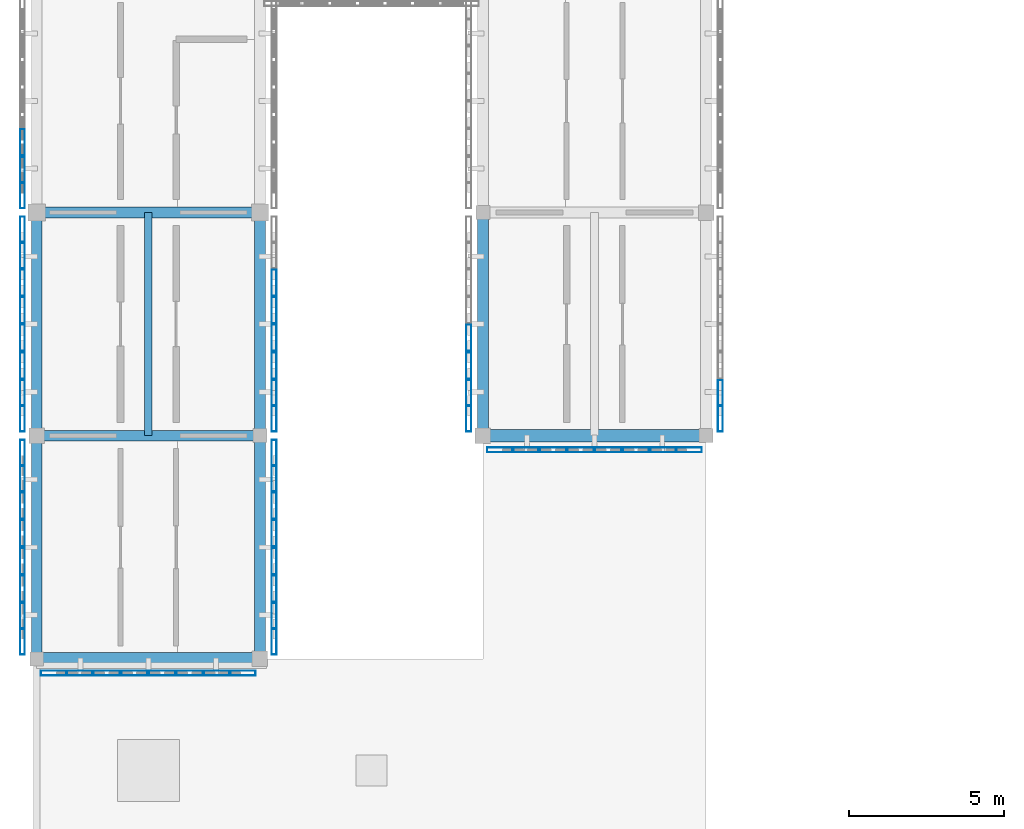
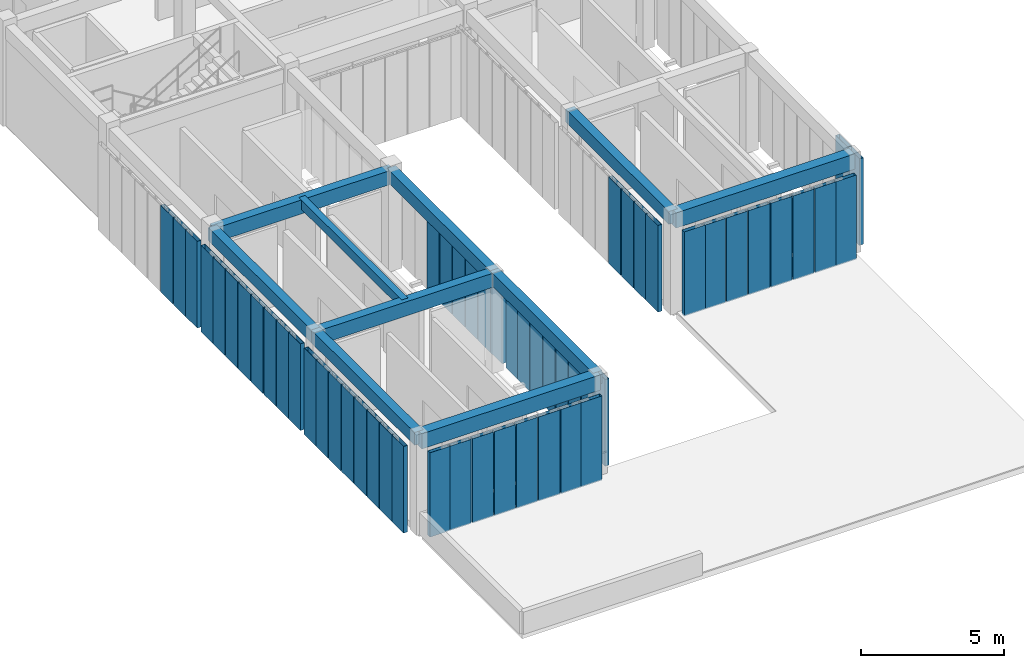
# One storey, part 3 of 91: 55 members, 10 beams, 9 elements without a shape of their own.
"""IFC4 building model written with IfcOpenShell, lengths in metres."""

from ifc_helpers import new_model, si_unit, direction, frame, origin, origin_2d, place, context, subcontext, project, spatial, rectangle, hollow_rectangle, extrude, material, material_profile, profile_set, type_object, element, aggregate, save


model = new_model("IFC4")

# Units and contexts
model_context = context("Model", 3, precision=1e-05, world=origin(), true_north=direction((0.0, 1.0)))
body_context = subcontext(model_context, "Body", "Model", "MODEL_VIEW")
ifc_project = project(units=[si_unit("LENGTHUNIT", "METRE"), si_unit("AREAUNIT", "SQUARE_METRE"), si_unit("VOLUMEUNIT", "CUBIC_METRE"), si_unit("PLANEANGLEUNIT", "RADIAN"), si_unit("MASSUNIT", "GRAM", prefix="KILO")], contexts=[model_context])

# Site, building, storey
site_placement = place(None, origin())
site = spatial("IfcSite", under=ifc_project, at=site_placement, CompositionType="ELEMENT")
building_placement = place(site_placement, origin())
building = spatial("IfcBuilding", under=site, at=building_placement, Name="Aldebral Square Health Centre", CompositionType="ELEMENT")
storey_placement = place(building_placement, frame((0.0, 0.0, 9.0)))
storey = spatial("IfcBuildingStorey", under=building, at=storey_placement, Name="L02", CompositionType="ELEMENT", Elevation=9.0)

# Beams
ifc_material_1 = material(Name="Concrete C40/50", Category="concrete")
ifc_material_profile_1 = material_profile(ifc_material_1, rectangle(XDim=0.39990234375, YDim=0.64990234375, at=origin_2d()), Name="RC 400x650")
ifc_profile_set_1 = profile_set([ifc_material_profile_1], Name="Concrete C40/50")
beam_type_1 = type_object("IfcBeamType", Name="BM-B1", PredefinedType="BEAM", material=ifc_profile_set_1)
beam_1_placement = place(storey_placement, frame((0.0, 7.199951171875, 3.9150390625), z_axis=(1.0, 0.0, 0.0), x_axis=(0.0, 1.0, 0.0)))
element("IfcBeam", 1, at=beam_1_placement, inside=storey, type_object=beam_type_1, Name="L02 X-beam 1-2/G2", PredefinedType="BEAM", context=body_context, shape_type="SweptSolid", body=[
    extrude(rectangle(XDim=0.39990234375, YDim=0.64990234375, at=origin_2d()), origin(), (0.0, 0.0, 1.0), 7.199951171875),
])
beam_2_placement = place(storey_placement, frame((14.39990234375, 14.39990234375, 3.9150390625), z_axis=(1.0, 0.0, 0.0), x_axis=(0.0, 1.0, 0.0)))
element("IfcBeam", 2, at=beam_2_placement, inside=storey, type_object=beam_type_1, Name="L02 X-beam 3-4/G3", PredefinedType="BEAM", context=body_context, shape_type="SweptSolid", body=[
    extrude(rectangle(XDim=0.39990234375, YDim=0.64990234375, at=origin_2d()), origin(), (0.0, 0.0, 1.0), 7.2001953125),
])
ifc_material_profile_2 = material_profile(ifc_material_1, rectangle(XDim=0.35009765625, YDim=0.60009765625, at=origin_2d()), Name="RC 350x600")
ifc_profile_set_2 = profile_set([ifc_material_profile_2], Name="Concrete C40/50")
beam_type_2 = type_object("IfcBeamType", Name="BM-B2", PredefinedType="BEAM", material=ifc_profile_set_2)
for number, where, z_axis, x_axis, name in (
    (3, (0.0, 14.39990234375, 3.93994140625), (1.0, 0.0, 0.0), (0.0, 1.0, 0.0), "L02 X-beam 1-2/G3"),
    (4, (0.0, 21.60009765625, 3.93994140625), (1.0, 0.0, 0.0), (0.0, 1.0, 0.0), "L02 X-beam 1-2/G4"),
):
    element("IfcBeam", number, at=place(storey_placement, frame(where, z_axis=z_axis, x_axis=x_axis)), inside=storey, type_object=beam_type_2, Name=name, PredefinedType="BEAM", context=body_context, shape_type="SweptSolid", body=[
        extrude(rectangle(XDim=0.35009765625, YDim=0.60009765625, at=origin_2d()), origin(), (0.0, 0.0, 1.0), 7.199951171875),
    ])
ifc_material_profile_3 = material_profile(ifc_material_1, rectangle(XDim=0.35009765625, YDim=0.550048828125, at=origin_2d()), Name="RC 350x550")
ifc_profile_set_3 = profile_set([ifc_material_profile_3], Name="Concrete C40/50")
beam_type_3 = type_object("IfcBeamType", Name="BM-B3", PredefinedType="BEAM", material=ifc_profile_set_3)
beam_3_placement = place(storey_placement, frame((0.0, 7.199951171875, 3.965087890625), z_axis=(0.0, 1.0, 0.0), x_axis=(-1.0, 0.0, 0.0)))
element("IfcBeam", 5, at=beam_3_placement, inside=storey, type_object=beam_type_3, Name="L02 Y-beam G1/2-3", PredefinedType="BEAM", context=body_context, shape_type="SweptSolid", body=[
    extrude(rectangle(XDim=0.35009765625, YDim=0.550048828125, at=origin_2d()), origin(), (0.0, 0.0, 1.0), 7.199951171875),
])
beam_4_placement = place(storey_placement, frame((0.0, 14.39990234375, 3.965087890625), z_axis=(0.0, 1.0, 0.0), x_axis=(-1.0, 0.0, 0.0)))
element("IfcBeam", 6, at=beam_4_placement, inside=storey, type_object=beam_type_3, Name="L02 Y-beam G1/3-4", PredefinedType="BEAM", context=body_context, shape_type="SweptSolid", body=[
    extrude(rectangle(XDim=0.35009765625, YDim=0.550048828125, at=origin_2d()), origin(), (0.0, 0.0, 1.0), 7.2001953125),
])
beam_5_placement = place(storey_placement, frame((7.199951171875, 7.199951171875, 3.965087890625), z_axis=(0.0, 1.0, 0.0), x_axis=(-1.0, 0.0, 0.0)))
element("IfcBeam", 7, at=beam_5_placement, inside=storey, type_object=beam_type_3, Name="L02 Y-beam G2/2-3", PredefinedType="BEAM", context=body_context, shape_type="SweptSolid", body=[
    extrude(rectangle(XDim=0.35009765625, YDim=0.550048828125, at=origin_2d()), origin(), (0.0, 0.0, 1.0), 7.199951171875),
])
for number, where, z_axis, x_axis, name in (
    (8, (7.199951171875, 14.39990234375, 3.965087890625), (0.0, 1.0, 0.0), (-1.0, 0.0, 0.0), "L02 Y-beam G2/3-4"),
    (9, (14.39990234375, 14.39990234375, 3.965087890625), (0.0, 1.0, 0.0), (-1.0, 0.0, 0.0), "L02 Y-beam G3/3-4"),
):
    element("IfcBeam", number, at=place(storey_placement, frame(where, z_axis=z_axis, x_axis=x_axis)), inside=storey, type_object=beam_type_3, Name=name, PredefinedType="BEAM", context=body_context, shape_type="SweptSolid", body=[
        extrude(rectangle(XDim=0.35009765625, YDim=0.550048828125, at=origin_2d()), origin(), (0.0, 0.0, 1.0), 7.2001953125),
    ])
ifc_material_profile_4 = material_profile(ifc_material_1, rectangle(XDim=0.25, YDim=0.39990234375, at=origin_2d()), Name="RC 250x400")
ifc_profile_set_4 = profile_set([ifc_material_profile_4], Name="Concrete C40/50")
beam_type_4 = type_object("IfcBeamType", Name="BM-B6", PredefinedType="JOIST", material=ifc_profile_set_4)
beam_6_placement = place(storey_placement, frame((3.60009765625, 14.39990234375, 4.0400390625), z_axis=(0.0, 1.0, 0.0), x_axis=(-1.0, 0.0, 0.0)))
element("IfcBeam", 10, at=beam_6_placement, inside=storey, type_object=beam_type_4, Name="L02 secondary rib 1.3", PredefinedType="JOIST", context=body_context, shape_type="SweptSolid", body=[
    extrude(rectangle(XDim=0.25, YDim=0.39990234375, at=origin_2d()), origin(), (0.0, 0.0, 1.0), 7.2001953125),
])

# Curtain wall, members
ifc_material_2 = material(Name="Aluminium and low-E solar glass", Category="aluminium")
curtain_wall_type = type_object("IfcCurtainWallType", Name="CW-FIN-SYS", PredefinedType="USERDEFINED", material=ifc_material_2)
curtain_wall_1_placement = place(storey_placement, origin())
curtain_wall_1 = element("IfcCurtainWall", 11, at=curtain_wall_1_placement, inside=storey, type_object=curtain_wall_type, Name="L02 V6 finned curtain wall L02-V6-00-01-S", ObjectType="SOLAR_CURTAIN_WALL", PredefinedType="USERDEFINED")
ifc_material_3 = material(Name="Sienna-terracotta clad aluminium fin", Category="masonry")
ifc_material_profile_5 = material_profile(ifc_material_3, hollow_rectangle(XDim=0.159912109375, YDim=0.85009765625, WallThickness=0.006103515625, at=origin_2d()), Name="FIN 160x850x6")
ifc_profile_set_5 = profile_set([ifc_material_profile_5], Name="Sienna-terracotta clad aluminium fin")
member_type = type_object("IfcMemberType", Name="CWM-FIN", PredefinedType="MULLION", material=ifc_profile_set_5)
member_1_placement = place(storey_placement, frame((0.56005859375, 6.739990234375, 0.0), z_axis=(0.0, 0.0, 1.0), x_axis=(0.0, 1.0, 0.0)))
member_1 = element("IfcMember", 12, at=member_1_placement, type_object=member_type, Name="CW1 mullion 1", PredefinedType="MULLION", context=body_context, shape_type="SweptSolid", body=[
    extrude(hollow_rectangle(XDim=0.159912109375, YDim=0.85009765625, WallThickness=0.006103515625, at=origin_2d()), origin(), (0.0, 0.0, 1.0), 3.590087890625),
])
member_2_placement = place(storey_placement, frame((1.371337890625, 6.739990234375, 0.0), z_axis=(0.0, 0.0, 1.0), x_axis=(0.0, 1.0, 0.0)))
member_2 = element("IfcMember", 13, at=member_2_placement, type_object=member_type, Name="CW1 mullion 2", PredefinedType="MULLION", context=body_context, shape_type="SweptSolid", body=[
    extrude(hollow_rectangle(XDim=0.159912109375, YDim=0.85009765625, WallThickness=0.006103515625, at=origin_2d()), origin(), (0.0, 0.0, 1.0), 3.590087890625),
])
member_3_placement = place(storey_placement, frame((2.262939453125, 6.739990234375, 0.0), z_axis=(0.0, 0.0, 1.0), x_axis=(0.0, 1.0, 0.0)))
member_3 = element("IfcMember", 14, at=member_3_placement, type_object=member_type, Name="CW1 mullion 3", PredefinedType="MULLION", context=body_context, shape_type="SweptSolid", body=[
    extrude(hollow_rectangle(XDim=0.159912109375, YDim=0.85009765625, WallThickness=0.006103515625, at=origin_2d()), origin(), (0.0, 0.0, 1.0), 3.590087890625),
])
member_4_placement = place(storey_placement, frame((3.154296875, 6.739990234375, 0.0), z_axis=(0.0, 0.0, 1.0), x_axis=(0.0, 1.0, 0.0)))
member_4 = element("IfcMember", 15, at=member_4_placement, type_object=member_type, Name="CW1 mullion 4", PredefinedType="MULLION", context=body_context, shape_type="SweptSolid", body=[
    extrude(hollow_rectangle(XDim=0.159912109375, YDim=0.85009765625, WallThickness=0.006103515625, at=origin_2d()), origin(), (0.0, 0.0, 1.0), 3.590087890625),
])
member_5_placement = place(storey_placement, frame((4.045654296875, 6.739990234375, 0.0), z_axis=(0.0, 0.0, 1.0), x_axis=(0.0, 1.0, 0.0)))
member_5 = element("IfcMember", 16, at=member_5_placement, type_object=member_type, Name="CW1 mullion 5", PredefinedType="MULLION", context=body_context, shape_type="SweptSolid", body=[
    extrude(hollow_rectangle(XDim=0.159912109375, YDim=0.85009765625, WallThickness=0.006103515625, at=origin_2d()), origin(), (0.0, 0.0, 1.0), 3.590087890625),
])
member_6_placement = place(storey_placement, frame((4.937255859375, 6.739990234375, 0.0), z_axis=(0.0, 0.0, 1.0), x_axis=(0.0, 1.0, 0.0)))
member_6 = element("IfcMember", 17, at=member_6_placement, type_object=member_type, Name="CW1 mullion 6", PredefinedType="MULLION", context=body_context, shape_type="SweptSolid", body=[
    extrude(hollow_rectangle(XDim=0.159912109375, YDim=0.85009765625, WallThickness=0.006103515625, at=origin_2d()), origin(), (0.0, 0.0, 1.0), 3.590087890625),
])
member_7_placement = place(storey_placement, frame((5.82861328125, 6.739990234375, 0.0), z_axis=(0.0, 0.0, 1.0), x_axis=(0.0, 1.0, 0.0)))
member_7 = element("IfcMember", 18, at=member_7_placement, type_object=member_type, Name="CW1 mullion 7", PredefinedType="MULLION", context=body_context, shape_type="SweptSolid", body=[
    extrude(hollow_rectangle(XDim=0.159912109375, YDim=0.85009765625, WallThickness=0.006103515625, at=origin_2d()), origin(), (0.0, 0.0, 1.0), 3.590087890625),
])
member_8_placement = place(storey_placement, frame((6.639892578125, 6.739990234375, 0.0), z_axis=(0.0, 0.0, 1.0), x_axis=(0.0, 1.0, 0.0)))
member_8 = element("IfcMember", 19, at=member_8_placement, type_object=member_type, Name="CW1 mullion 8", PredefinedType="MULLION", context=body_context, shape_type="SweptSolid", body=[
    extrude(hollow_rectangle(XDim=0.159912109375, YDim=0.85009765625, WallThickness=0.006103515625, at=origin_2d()), origin(), (0.0, 0.0, 1.0), 3.590087890625),
])
aggregate(curtain_wall_1, [member_1, member_2, member_3, member_4, member_5, member_6, member_7, member_8])

curtain_wall_2_placement = place(storey_placement, origin())
curtain_wall_2 = element("IfcCurtainWall", 20, at=curtain_wall_2_placement, inside=storey, type_object=curtain_wall_type, Name="L02 V6 finned curtain wall L02-V6-00-01-W", ObjectType="SOLAR_CURTAIN_WALL", PredefinedType="USERDEFINED")
member_9_placement = place(storey_placement, frame((-0.4599609375, 13.840087890625, 0.0), z_axis=(0.0, 0.0, 1.0), x_axis=(1.0, 0.0, 0.0)))
member_9 = element("IfcMember", 21, at=member_9_placement, type_object=member_type, Name="CW1 mullion 1", PredefinedType="MULLION", context=body_context, shape_type="SweptSolid", body=[
    extrude(hollow_rectangle(XDim=0.159912109375, YDim=0.85009765625, WallThickness=0.006103515625, at=origin_2d()), origin(), (0.0, 0.0, 1.0), 3.68994140625),
])
member_10_placement = place(storey_placement, frame((-0.4599609375, 13.028564453125, 0.0), z_axis=(0.0, 0.0, 1.0), x_axis=(1.0, 0.0, 0.0)))
member_10 = element("IfcMember", 22, at=member_10_placement, type_object=member_type, Name="CW1 mullion 2", PredefinedType="MULLION", context=body_context, shape_type="SweptSolid", body=[
    extrude(hollow_rectangle(XDim=0.159912109375, YDim=0.85009765625, WallThickness=0.006103515625, at=origin_2d()), origin(), (0.0, 0.0, 1.0), 3.68994140625),
])
member_11_placement = place(storey_placement, frame((-0.4599609375, 12.13720703125, 0.0), z_axis=(0.0, 0.0, 1.0), x_axis=(1.0, 0.0, 0.0)))
member_11 = element("IfcMember", 23, at=member_11_placement, type_object=member_type, Name="CW1 mullion 3", PredefinedType="MULLION", context=body_context, shape_type="SweptSolid", body=[
    extrude(hollow_rectangle(XDim=0.159912109375, YDim=0.85009765625, WallThickness=0.006103515625, at=origin_2d()), origin(), (0.0, 0.0, 1.0), 3.68994140625),
])
member_12_placement = place(storey_placement, frame((-0.4599609375, 11.24560546875, 0.0), z_axis=(0.0, 0.0, 1.0), x_axis=(1.0, 0.0, 0.0)))
member_12 = element("IfcMember", 24, at=member_12_placement, type_object=member_type, Name="CW1 mullion 4", PredefinedType="MULLION", context=body_context, shape_type="SweptSolid", body=[
    extrude(hollow_rectangle(XDim=0.159912109375, YDim=0.85009765625, WallThickness=0.006103515625, at=origin_2d()), origin(), (0.0, 0.0, 1.0), 3.68994140625),
])
member_13_placement = place(storey_placement, frame((-0.4599609375, 10.354248046875, 0.0), z_axis=(0.0, 0.0, 1.0), x_axis=(1.0, 0.0, 0.0)))
member_13 = element("IfcMember", 25, at=member_13_placement, type_object=member_type, Name="CW1 mullion 5", PredefinedType="MULLION", context=body_context, shape_type="SweptSolid", body=[
    extrude(hollow_rectangle(XDim=0.159912109375, YDim=0.85009765625, WallThickness=0.006103515625, at=origin_2d()), origin(), (0.0, 0.0, 1.0), 3.68994140625),
])
member_14_placement = place(storey_placement, frame((-0.4599609375, 9.462890625, 0.0), z_axis=(0.0, 0.0, 1.0), x_axis=(1.0, 0.0, 0.0)))
member_14 = element("IfcMember", 26, at=member_14_placement, type_object=member_type, Name="CW1 mullion 6", PredefinedType="MULLION", context=body_context, shape_type="SweptSolid", body=[
    extrude(hollow_rectangle(XDim=0.159912109375, YDim=0.85009765625, WallThickness=0.006103515625, at=origin_2d()), origin(), (0.0, 0.0, 1.0), 3.68994140625),
])
member_15_placement = place(storey_placement, frame((-0.4599609375, 8.571533203125, 0.0), z_axis=(0.0, 0.0, 1.0), x_axis=(1.0, 0.0, 0.0)))
member_15 = element("IfcMember", 27, at=member_15_placement, type_object=member_type, Name="CW1 mullion 7", PredefinedType="MULLION", context=body_context, shape_type="SweptSolid", body=[
    extrude(hollow_rectangle(XDim=0.159912109375, YDim=0.85009765625, WallThickness=0.006103515625, at=origin_2d()), origin(), (0.0, 0.0, 1.0), 3.68994140625),
])
member_16_placement = place(storey_placement, frame((-0.4599609375, 7.760009765625, 0.0), z_axis=(0.0, 0.0, 1.0), x_axis=(1.0, 0.0, 0.0)))
member_16 = element("IfcMember", 28, at=member_16_placement, type_object=member_type, Name="CW1 mullion 8", PredefinedType="MULLION", context=body_context, shape_type="SweptSolid", body=[
    extrude(hollow_rectangle(XDim=0.159912109375, YDim=0.85009765625, WallThickness=0.006103515625, at=origin_2d()), origin(), (0.0, 0.0, 1.0), 3.68994140625),
])
aggregate(curtain_wall_2, [member_9, member_10, member_11, member_12, member_13, member_14, member_15, member_16])

curtain_wall_3_placement = place(storey_placement, origin())
curtain_wall_3 = element("IfcCurtainWall", 29, at=curtain_wall_3_placement, inside=storey, type_object=curtain_wall_type, Name="L02 V6 finned curtain wall L02-V6-00-01-E", ObjectType="SOLAR_CURTAIN_WALL", PredefinedType="USERDEFINED")
member_17_placement = place(storey_placement, frame((7.659912109375, 7.760009765625, 0.0), z_axis=(0.0, 0.0, 1.0), x_axis=(-1.0, 0.0, 0.0)))
member_17 = element("IfcMember", 30, at=member_17_placement, type_object=member_type, Name="CW1 mullion 1", PredefinedType="MULLION", context=body_context, shape_type="SweptSolid", body=[
    extrude(hollow_rectangle(XDim=0.159912109375, YDim=0.85009765625, WallThickness=0.006103515625, at=origin_2d()), origin(), (0.0, 0.0, 1.0), 3.68994140625),
])
member_18_placement = place(storey_placement, frame((7.659912109375, 8.571533203125, 0.0), z_axis=(0.0, 0.0, 1.0), x_axis=(-1.0, 0.0, 0.0)))
member_18 = element("IfcMember", 31, at=member_18_placement, type_object=member_type, Name="CW1 mullion 2", PredefinedType="MULLION", context=body_context, shape_type="SweptSolid", body=[
    extrude(hollow_rectangle(XDim=0.159912109375, YDim=0.85009765625, WallThickness=0.006103515625, at=origin_2d()), origin(), (0.0, 0.0, 1.0), 3.68994140625),
])
member_19_placement = place(storey_placement, frame((7.659912109375, 9.462890625, 0.0), z_axis=(0.0, 0.0, 1.0), x_axis=(-1.0, 0.0, 0.0)))
member_19 = element("IfcMember", 32, at=member_19_placement, type_object=member_type, Name="CW1 mullion 3", PredefinedType="MULLION", context=body_context, shape_type="SweptSolid", body=[
    extrude(hollow_rectangle(XDim=0.159912109375, YDim=0.85009765625, WallThickness=0.006103515625, at=origin_2d()), origin(), (0.0, 0.0, 1.0), 3.68994140625),
])
member_20_placement = place(storey_placement, frame((7.659912109375, 10.354248046875, 0.0), z_axis=(0.0, 0.0, 1.0), x_axis=(-1.0, 0.0, 0.0)))
member_20 = element("IfcMember", 33, at=member_20_placement, type_object=member_type, Name="CW1 mullion 4", PredefinedType="MULLION", context=body_context, shape_type="SweptSolid", body=[
    extrude(hollow_rectangle(XDim=0.159912109375, YDim=0.85009765625, WallThickness=0.006103515625, at=origin_2d()), origin(), (0.0, 0.0, 1.0), 3.68994140625),
])
member_21_placement = place(storey_placement, frame((7.659912109375, 11.24560546875, 0.0), z_axis=(0.0, 0.0, 1.0), x_axis=(-1.0, 0.0, 0.0)))
member_21 = element("IfcMember", 34, at=member_21_placement, type_object=member_type, Name="CW1 mullion 5", PredefinedType="MULLION", context=body_context, shape_type="SweptSolid", body=[
    extrude(hollow_rectangle(XDim=0.159912109375, YDim=0.85009765625, WallThickness=0.006103515625, at=origin_2d()), origin(), (0.0, 0.0, 1.0), 3.68994140625),
])
member_22_placement = place(storey_placement, frame((7.659912109375, 12.13720703125, 0.0), z_axis=(0.0, 0.0, 1.0), x_axis=(-1.0, 0.0, 0.0)))
member_22 = element("IfcMember", 35, at=member_22_placement, type_object=member_type, Name="CW1 mullion 6", PredefinedType="MULLION", context=body_context, shape_type="SweptSolid", body=[
    extrude(hollow_rectangle(XDim=0.159912109375, YDim=0.85009765625, WallThickness=0.006103515625, at=origin_2d()), origin(), (0.0, 0.0, 1.0), 3.68994140625),
])
member_23_placement = place(storey_placement, frame((7.659912109375, 13.028564453125, 0.0), z_axis=(0.0, 0.0, 1.0), x_axis=(-1.0, 0.0, 0.0)))
member_23 = element("IfcMember", 36, at=member_23_placement, type_object=member_type, Name="CW1 mullion 7", PredefinedType="MULLION", context=body_context, shape_type="SweptSolid", body=[
    extrude(hollow_rectangle(XDim=0.159912109375, YDim=0.85009765625, WallThickness=0.006103515625, at=origin_2d()), origin(), (0.0, 0.0, 1.0), 3.68994140625),
])
member_24_placement = place(storey_placement, frame((7.659912109375, 13.840087890625, 0.0), z_axis=(0.0, 0.0, 1.0), x_axis=(-1.0, 0.0, 0.0)))
member_24 = element("IfcMember", 37, at=member_24_placement, type_object=member_type, Name="CW1 mullion 8", PredefinedType="MULLION", context=body_context, shape_type="SweptSolid", body=[
    extrude(hollow_rectangle(XDim=0.159912109375, YDim=0.85009765625, WallThickness=0.006103515625, at=origin_2d()), origin(), (0.0, 0.0, 1.0), 3.68994140625),
])
aggregate(curtain_wall_3, [member_17, member_18, member_19, member_20, member_21, member_22, member_23, member_24])

curtain_wall_4_placement = place(storey_placement, origin())
curtain_wall_4 = element("IfcCurtainWall", 38, at=curtain_wall_4_placement, inside=storey, type_object=curtain_wall_type, Name="L02 V6 finned curtain wall L02-V6-00-02-W", ObjectType="SOLAR_CURTAIN_WALL", PredefinedType="USERDEFINED")
member_25_placement = place(storey_placement, frame((-0.4599609375, 21.0400390625, 0.0), z_axis=(0.0, 0.0, 1.0), x_axis=(1.0, 0.0, 0.0)))
member_25 = element("IfcMember", 39, at=member_25_placement, type_object=member_type, Name="CW1 mullion 1", PredefinedType="MULLION", context=body_context, shape_type="SweptSolid", body=[
    extrude(hollow_rectangle(XDim=0.159912109375, YDim=0.85009765625, WallThickness=0.006103515625, at=origin_2d()), origin(), (0.0, 0.0, 1.0), 3.68994140625),
])
member_26_placement = place(storey_placement, frame((-0.4599609375, 20.228515625, 0.0), z_axis=(0.0, 0.0, 1.0), x_axis=(1.0, 0.0, 0.0)))
member_26 = element("IfcMember", 40, at=member_26_placement, type_object=member_type, Name="CW1 mullion 2", PredefinedType="MULLION", context=body_context, shape_type="SweptSolid", body=[
    extrude(hollow_rectangle(XDim=0.159912109375, YDim=0.85009765625, WallThickness=0.006103515625, at=origin_2d()), origin(), (0.0, 0.0, 1.0), 3.68994140625),
])
member_27_placement = place(storey_placement, frame((-0.4599609375, 19.337158203125, 0.0), z_axis=(0.0, 0.0, 1.0), x_axis=(1.0, 0.0, 0.0)))
member_27 = element("IfcMember", 41, at=member_27_placement, type_object=member_type, Name="CW1 mullion 3", PredefinedType="MULLION", context=body_context, shape_type="SweptSolid", body=[
    extrude(hollow_rectangle(XDim=0.159912109375, YDim=0.85009765625, WallThickness=0.006103515625, at=origin_2d()), origin(), (0.0, 0.0, 1.0), 3.68994140625),
])
member_28_placement = place(storey_placement, frame((-0.4599609375, 18.44580078125, 0.0), z_axis=(0.0, 0.0, 1.0), x_axis=(1.0, 0.0, 0.0)))
member_28 = element("IfcMember", 42, at=member_28_placement, type_object=member_type, Name="CW1 mullion 4", PredefinedType="MULLION", context=body_context, shape_type="SweptSolid", body=[
    extrude(hollow_rectangle(XDim=0.159912109375, YDim=0.85009765625, WallThickness=0.006103515625, at=origin_2d()), origin(), (0.0, 0.0, 1.0), 3.68994140625),
])
member_29_placement = place(storey_placement, frame((-0.4599609375, 17.55419921875, 0.0), z_axis=(0.0, 0.0, 1.0), x_axis=(1.0, 0.0, 0.0)))
member_29 = element("IfcMember", 43, at=member_29_placement, type_object=member_type, Name="CW1 mullion 5", PredefinedType="MULLION", context=body_context, shape_type="SweptSolid", body=[
    extrude(hollow_rectangle(XDim=0.159912109375, YDim=0.85009765625, WallThickness=0.006103515625, at=origin_2d()), origin(), (0.0, 0.0, 1.0), 3.68994140625),
])
member_30_placement = place(storey_placement, frame((-0.4599609375, 16.662841796875, 0.0), z_axis=(0.0, 0.0, 1.0), x_axis=(1.0, 0.0, 0.0)))
member_30 = element("IfcMember", 44, at=member_30_placement, type_object=member_type, Name="CW1 mullion 6", PredefinedType="MULLION", context=body_context, shape_type="SweptSolid", body=[
    extrude(hollow_rectangle(XDim=0.159912109375, YDim=0.85009765625, WallThickness=0.006103515625, at=origin_2d()), origin(), (0.0, 0.0, 1.0), 3.68994140625),
])
member_31_placement = place(storey_placement, frame((-0.4599609375, 15.771484375, 0.0), z_axis=(0.0, 0.0, 1.0), x_axis=(1.0, 0.0, 0.0)))
member_31 = element("IfcMember", 45, at=member_31_placement, type_object=member_type, Name="CW1 mullion 7", PredefinedType="MULLION", context=body_context, shape_type="SweptSolid", body=[
    extrude(hollow_rectangle(XDim=0.159912109375, YDim=0.85009765625, WallThickness=0.006103515625, at=origin_2d()), origin(), (0.0, 0.0, 1.0), 3.68994140625),
])
member_32_placement = place(storey_placement, frame((-0.4599609375, 14.9599609375, 0.0), z_axis=(0.0, 0.0, 1.0), x_axis=(1.0, 0.0, 0.0)))
member_32 = element("IfcMember", 46, at=member_32_placement, type_object=member_type, Name="CW1 mullion 8", PredefinedType="MULLION", context=body_context, shape_type="SweptSolid", body=[
    extrude(hollow_rectangle(XDim=0.159912109375, YDim=0.85009765625, WallThickness=0.006103515625, at=origin_2d()), origin(), (0.0, 0.0, 1.0), 3.68994140625),
])
aggregate(curtain_wall_4, [member_25, member_26, member_27, member_28, member_29, member_30, member_31, member_32])

curtain_wall_5_placement = place(storey_placement, origin())
curtain_wall_5 = element("IfcCurtainWall", 47, at=curtain_wall_5_placement, inside=storey, type_object=curtain_wall_type, Name="L02 V6 finned curtain wall L02-V6-00-02-E", ObjectType="SOLAR_CURTAIN_WALL", PredefinedType="USERDEFINED")
member_33_placement = place(storey_placement, frame((7.659912109375, 14.9599609375, 0.0), z_axis=(0.0, 0.0, 1.0), x_axis=(-1.0, 0.0, 0.0)))
member_33 = element("IfcMember", 48, at=member_33_placement, type_object=member_type, Name="CW1 mullion 1", PredefinedType="MULLION", context=body_context, shape_type="SweptSolid", body=[
    extrude(hollow_rectangle(XDim=0.159912109375, YDim=0.85009765625, WallThickness=0.006103515625, at=origin_2d()), origin(), (0.0, 0.0, 1.0), 3.68994140625),
])
member_34_placement = place(storey_placement, frame((7.659912109375, 15.771484375, 0.0), z_axis=(0.0, 0.0, 1.0), x_axis=(-1.0, 0.0, 0.0)))
member_34 = element("IfcMember", 49, at=member_34_placement, type_object=member_type, Name="CW1 mullion 2", PredefinedType="MULLION", context=body_context, shape_type="SweptSolid", body=[
    extrude(hollow_rectangle(XDim=0.159912109375, YDim=0.85009765625, WallThickness=0.006103515625, at=origin_2d()), origin(), (0.0, 0.0, 1.0), 3.68994140625),
])
member_35_placement = place(storey_placement, frame((7.659912109375, 16.662841796875, 0.0), z_axis=(0.0, 0.0, 1.0), x_axis=(-1.0, 0.0, 0.0)))
member_35 = element("IfcMember", 50, at=member_35_placement, type_object=member_type, Name="CW1 mullion 3", PredefinedType="MULLION", context=body_context, shape_type="SweptSolid", body=[
    extrude(hollow_rectangle(XDim=0.159912109375, YDim=0.85009765625, WallThickness=0.006103515625, at=origin_2d()), origin(), (0.0, 0.0, 1.0), 3.68994140625),
])
member_36_placement = place(storey_placement, frame((7.659912109375, 17.55419921875, 0.0), z_axis=(0.0, 0.0, 1.0), x_axis=(-1.0, 0.0, 0.0)))
member_36 = element("IfcMember", 51, at=member_36_placement, type_object=member_type, Name="CW1 mullion 4", PredefinedType="MULLION", context=body_context, shape_type="SweptSolid", body=[
    extrude(hollow_rectangle(XDim=0.159912109375, YDim=0.85009765625, WallThickness=0.006103515625, at=origin_2d()), origin(), (0.0, 0.0, 1.0), 3.68994140625),
])
member_37_placement = place(storey_placement, frame((7.659912109375, 18.44580078125, 0.0), z_axis=(0.0, 0.0, 1.0), x_axis=(-1.0, 0.0, 0.0)))
member_37 = element("IfcMember", 52, at=member_37_placement, type_object=member_type, Name="CW1 mullion 5", PredefinedType="MULLION", context=body_context, shape_type="SweptSolid", body=[
    extrude(hollow_rectangle(XDim=0.159912109375, YDim=0.85009765625, WallThickness=0.006103515625, at=origin_2d()), origin(), (0.0, 0.0, 1.0), 3.68994140625),
])
member_38_placement = place(storey_placement, frame((7.659912109375, 19.337158203125, 0.0), z_axis=(0.0, 0.0, 1.0), x_axis=(-1.0, 0.0, 0.0)))
member_38 = element("IfcMember", 53, at=member_38_placement, type_object=member_type, Name="CW1 mullion 6", PredefinedType="MULLION", context=body_context, shape_type="SweptSolid", body=[
    extrude(hollow_rectangle(XDim=0.159912109375, YDim=0.85009765625, WallThickness=0.006103515625, at=origin_2d()), origin(), (0.0, 0.0, 1.0), 3.68994140625),
])
aggregate(curtain_wall_5, [member_33, member_34, member_35, member_36, member_37, member_38])

curtain_wall_6_placement = place(storey_placement, origin())
curtain_wall_6 = element("IfcCurtainWall", 54, at=curtain_wall_6_placement, inside=storey, type_object=curtain_wall_type, Name="L02 V6 finned curtain wall L02-V6-00-03-W", ObjectType="SOLAR_CURTAIN_WALL", PredefinedType="USERDEFINED")
member_39_placement = place(storey_placement, frame((-0.4599609375, 23.86279296875, 0.0), z_axis=(0.0, 0.0, 1.0), x_axis=(1.0, 0.0, 0.0)))
member_39 = element("IfcMember", 55, at=member_39_placement, type_object=member_type, Name="CW1 mullion 6", PredefinedType="MULLION", context=body_context, shape_type="SweptSolid", body=[
    extrude(hollow_rectangle(XDim=0.159912109375, YDim=0.85009765625, WallThickness=0.006103515625, at=origin_2d()), origin(), (0.0, 0.0, 1.0), 3.68994140625),
])
member_40_placement = place(storey_placement, frame((-0.4599609375, 22.971435546875, 0.0), z_axis=(0.0, 0.0, 1.0), x_axis=(1.0, 0.0, 0.0)))
member_40 = element("IfcMember", 56, at=member_40_placement, type_object=member_type, Name="CW1 mullion 7", PredefinedType="MULLION", context=body_context, shape_type="SweptSolid", body=[
    extrude(hollow_rectangle(XDim=0.159912109375, YDim=0.85009765625, WallThickness=0.006103515625, at=origin_2d()), origin(), (0.0, 0.0, 1.0), 3.68994140625),
])
member_41_placement = place(storey_placement, frame((-0.4599609375, 22.159912109375, 0.0), z_axis=(0.0, 0.0, 1.0), x_axis=(1.0, 0.0, 0.0)))
member_41 = element("IfcMember", 57, at=member_41_placement, type_object=member_type, Name="CW1 mullion 8", PredefinedType="MULLION", context=body_context, shape_type="SweptSolid", body=[
    extrude(hollow_rectangle(XDim=0.159912109375, YDim=0.85009765625, WallThickness=0.006103515625, at=origin_2d()), origin(), (0.0, 0.0, 1.0), 3.68994140625),
])
aggregate(curtain_wall_6, [member_39, member_40, member_41])

curtain_wall_7_placement = place(storey_placement, origin())
curtain_wall_7 = element("IfcCurtainWall", 58, at=curtain_wall_7_placement, inside=storey, type_object=curtain_wall_type, Name="L02 V6 finned curtain wall L02-V6-02-02-S", ObjectType="SOLAR_CURTAIN_WALL", PredefinedType="USERDEFINED")
member_42_placement = place(storey_placement, frame((14.9599609375, 13.93994140625, 0.0), z_axis=(0.0, 0.0, 1.0), x_axis=(0.0, 1.0, 0.0)))
member_42 = element("IfcMember", 59, at=member_42_placement, type_object=member_type, Name="CW1 mullion 1", PredefinedType="MULLION", context=body_context, shape_type="SweptSolid", body=[
    extrude(hollow_rectangle(XDim=0.159912109375, YDim=0.85009765625, WallThickness=0.006103515625, at=origin_2d()), origin(), (0.0, 0.0, 1.0), 3.590087890625),
])
member_43_placement = place(storey_placement, frame((15.771484375, 13.93994140625, 0.0), z_axis=(0.0, 0.0, 1.0), x_axis=(0.0, 1.0, 0.0)))
member_43 = element("IfcMember", 60, at=member_43_placement, type_object=member_type, Name="CW1 mullion 2", PredefinedType="MULLION", context=body_context, shape_type="SweptSolid", body=[
    extrude(hollow_rectangle(XDim=0.159912109375, YDim=0.85009765625, WallThickness=0.006103515625, at=origin_2d()), origin(), (0.0, 0.0, 1.0), 3.590087890625),
])
member_44_placement = place(storey_placement, frame((16.662841796875, 13.93994140625, 0.0), z_axis=(0.0, 0.0, 1.0), x_axis=(0.0, 1.0, 0.0)))
member_44 = element("IfcMember", 61, at=member_44_placement, type_object=member_type, Name="CW1 mullion 3", PredefinedType="MULLION", context=body_context, shape_type="SweptSolid", body=[
    extrude(hollow_rectangle(XDim=0.159912109375, YDim=0.85009765625, WallThickness=0.006103515625, at=origin_2d()), origin(), (0.0, 0.0, 1.0), 3.590087890625),
])
member_45_placement = place(storey_placement, frame((17.55419921875, 13.93994140625, 0.0), z_axis=(0.0, 0.0, 1.0), x_axis=(0.0, 1.0, 0.0)))
member_45 = element("IfcMember", 62, at=member_45_placement, type_object=member_type, Name="CW1 mullion 4", PredefinedType="MULLION", context=body_context, shape_type="SweptSolid", body=[
    extrude(hollow_rectangle(XDim=0.159912109375, YDim=0.85009765625, WallThickness=0.006103515625, at=origin_2d()), origin(), (0.0, 0.0, 1.0), 3.590087890625),
])
member_46_placement = place(storey_placement, frame((18.44580078125, 13.93994140625, 0.0), z_axis=(0.0, 0.0, 1.0), x_axis=(0.0, 1.0, 0.0)))
member_46 = element("IfcMember", 63, at=member_46_placement, type_object=member_type, Name="CW1 mullion 5", PredefinedType="MULLION", context=body_context, shape_type="SweptSolid", body=[
    extrude(hollow_rectangle(XDim=0.159912109375, YDim=0.85009765625, WallThickness=0.006103515625, at=origin_2d()), origin(), (0.0, 0.0, 1.0), 3.590087890625),
])
member_47_placement = place(storey_placement, frame((19.337158203125, 13.93994140625, 0.0), z_axis=(0.0, 0.0, 1.0), x_axis=(0.0, 1.0, 0.0)))
member_47 = element("IfcMember", 64, at=member_47_placement, type_object=member_type, Name="CW1 mullion 6", PredefinedType="MULLION", context=body_context, shape_type="SweptSolid", body=[
    extrude(hollow_rectangle(XDim=0.159912109375, YDim=0.85009765625, WallThickness=0.006103515625, at=origin_2d()), origin(), (0.0, 0.0, 1.0), 3.590087890625),
])
member_48_placement = place(storey_placement, frame((20.228515625, 13.93994140625, 0.0), z_axis=(0.0, 0.0, 1.0), x_axis=(0.0, 1.0, 0.0)))
member_48 = element("IfcMember", 65, at=member_48_placement, type_object=member_type, Name="CW1 mullion 7", PredefinedType="MULLION", context=body_context, shape_type="SweptSolid", body=[
    extrude(hollow_rectangle(XDim=0.159912109375, YDim=0.85009765625, WallThickness=0.006103515625, at=origin_2d()), origin(), (0.0, 0.0, 1.0), 3.590087890625),
])
member_49_placement = place(storey_placement, frame((21.0400390625, 13.93994140625, 0.0), z_axis=(0.0, 0.0, 1.0), x_axis=(0.0, 1.0, 0.0)))
member_49 = element("IfcMember", 66, at=member_49_placement, type_object=member_type, Name="CW1 mullion 8", PredefinedType="MULLION", context=body_context, shape_type="SweptSolid", body=[
    extrude(hollow_rectangle(XDim=0.159912109375, YDim=0.85009765625, WallThickness=0.006103515625, at=origin_2d()), origin(), (0.0, 0.0, 1.0), 3.590087890625),
])
aggregate(curtain_wall_7, [member_42, member_43, member_44, member_45, member_46, member_47, member_48, member_49])

curtain_wall_8_placement = place(storey_placement, origin())
curtain_wall_8 = element("IfcCurtainWall", 67, at=curtain_wall_8_placement, inside=storey, type_object=curtain_wall_type, Name="L02 V6 finned curtain wall L02-V6-02-02-W", ObjectType="SOLAR_CURTAIN_WALL", PredefinedType="USERDEFINED")
member_50_placement = place(storey_placement, frame((13.93994140625, 17.55419921875, 0.0), z_axis=(0.0, 0.0, 1.0), x_axis=(1.0, 0.0, 0.0)))
member_50 = element("IfcMember", 68, at=member_50_placement, type_object=member_type, Name="CW1 mullion 5", PredefinedType="MULLION", context=body_context, shape_type="SweptSolid", body=[
    extrude(hollow_rectangle(XDim=0.159912109375, YDim=0.85009765625, WallThickness=0.006103515625, at=origin_2d()), origin(), (0.0, 0.0, 1.0), 3.68994140625),
])
member_51_placement = place(storey_placement, frame((13.93994140625, 16.662841796875, 0.0), z_axis=(0.0, 0.0, 1.0), x_axis=(1.0, 0.0, 0.0)))
member_51 = element("IfcMember", 69, at=member_51_placement, type_object=member_type, Name="CW1 mullion 6", PredefinedType="MULLION", context=body_context, shape_type="SweptSolid", body=[
    extrude(hollow_rectangle(XDim=0.159912109375, YDim=0.85009765625, WallThickness=0.006103515625, at=origin_2d()), origin(), (0.0, 0.0, 1.0), 3.68994140625),
])
member_52_placement = place(storey_placement, frame((13.93994140625, 15.771484375, 0.0), z_axis=(0.0, 0.0, 1.0), x_axis=(1.0, 0.0, 0.0)))
member_52 = element("IfcMember", 70, at=member_52_placement, type_object=member_type, Name="CW1 mullion 7", PredefinedType="MULLION", context=body_context, shape_type="SweptSolid", body=[
    extrude(hollow_rectangle(XDim=0.159912109375, YDim=0.85009765625, WallThickness=0.006103515625, at=origin_2d()), origin(), (0.0, 0.0, 1.0), 3.68994140625),
])
member_53_placement = place(storey_placement, frame((13.93994140625, 14.9599609375, 0.0), z_axis=(0.0, 0.0, 1.0), x_axis=(1.0, 0.0, 0.0)))
member_53 = element("IfcMember", 71, at=member_53_placement, type_object=member_type, Name="CW1 mullion 8", PredefinedType="MULLION", context=body_context, shape_type="SweptSolid", body=[
    extrude(hollow_rectangle(XDim=0.159912109375, YDim=0.85009765625, WallThickness=0.006103515625, at=origin_2d()), origin(), (0.0, 0.0, 1.0), 3.68994140625),
])
aggregate(curtain_wall_8, [member_50, member_51, member_52, member_53])

curtain_wall_9_placement = place(storey_placement, origin())
curtain_wall_9 = element("IfcCurtainWall", 72, at=curtain_wall_9_placement, inside=storey, type_object=curtain_wall_type, Name="L02 V6 finned curtain wall L02-V6-02-02-E", ObjectType="SOLAR_CURTAIN_WALL", PredefinedType="USERDEFINED")
member_54_placement = place(storey_placement, frame((22.06005859375, 14.9599609375, 0.0), z_axis=(0.0, 0.0, 1.0), x_axis=(-1.0, 0.0, 0.0)))
member_54 = element("IfcMember", 73, at=member_54_placement, type_object=member_type, Name="CW1 mullion 1", PredefinedType="MULLION", context=body_context, shape_type="SweptSolid", body=[
    extrude(hollow_rectangle(XDim=0.159912109375, YDim=0.85009765625, WallThickness=0.006103515625, at=origin_2d()), origin(), (0.0, 0.0, 1.0), 3.68994140625),
])
member_55_placement = place(storey_placement, frame((22.06005859375, 15.771484375, 0.0), z_axis=(0.0, 0.0, 1.0), x_axis=(-1.0, 0.0, 0.0)))
member_55 = element("IfcMember", 74, at=member_55_placement, type_object=member_type, Name="CW1 mullion 2", PredefinedType="MULLION", context=body_context, shape_type="SweptSolid", body=[
    extrude(hollow_rectangle(XDim=0.159912109375, YDim=0.85009765625, WallThickness=0.006103515625, at=origin_2d()), origin(), (0.0, 0.0, 1.0), 3.68994140625),
])
aggregate(curtain_wall_9, [member_54, member_55])

save(model, "model.ifc")
